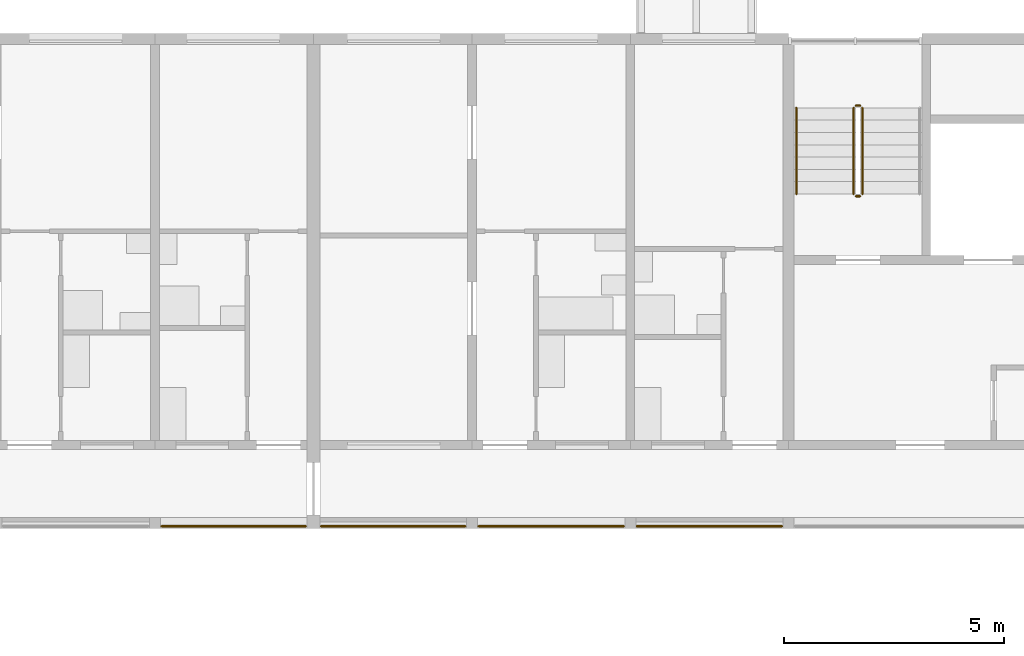
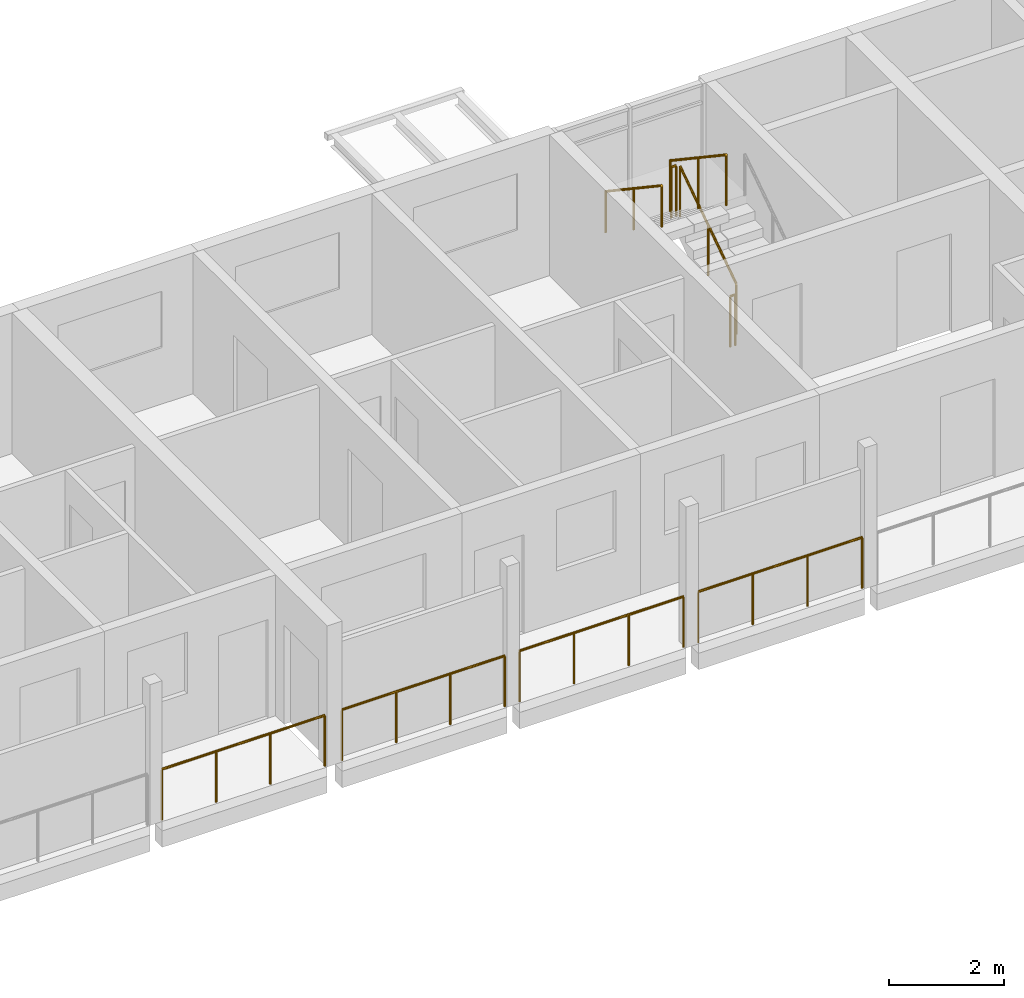
# One storey, part 82 of 99: 9 railings.
"""IFC4 building model written with IfcOpenShell, lengths in metres."""

from ifc_helpers import new_model, si_unit, direction, frame, origin, origin_2d, place, context, subcontext, project, spatial, circle, extrude, material, type_object, element, save


model = new_model("IFC4")

# Units and contexts
model_context = context("Model", 3, precision=1e-05, world=origin(), true_north=direction((0.0, 1.0)))
body_context = subcontext(model_context, "Body", "Model", "MODEL_VIEW")
ifc_project = project(units=[si_unit("LENGTHUNIT", "METRE"), si_unit("AREAUNIT", "SQUARE_METRE"), si_unit("VOLUMEUNIT", "CUBIC_METRE"), si_unit("PLANEANGLEUNIT", "RADIAN"), si_unit("MASSUNIT", "GRAM", prefix="KILO")], contexts=[model_context])

# Site, building, storey
site_placement = place(None, origin())
site = spatial("IfcSite", under=ifc_project, at=site_placement, CompositionType="ELEMENT")
building_placement = place(site_placement, origin())
building = spatial("IfcBuilding", under=site, at=building_placement, Name="Ridgestep Commons", CompositionType="ELEMENT")
storey_placement = place(building_placement, frame((0.0, 0.0, 15.0)))
storey = spatial("IfcBuildingStorey", under=building, at=storey_placement, Name="L05", CompositionType="ELEMENT", Elevation=15.0)

# Railings
ifc_material_1 = material(Name="Structural steel S355JR", Category="steel")
railing_type_1 = type_object("IfcRailingType", Name="Guard 1100", PredefinedType="GUARDRAIL", material=ifc_material_1)
for number, where, name in (
    (1, (58.946044921875, 66.050048828125, 0.0), "Gallery guard B 05.12"),
    (2, (62.571044921875, 66.050048828125, 0.0), "Gallery guard B 05.13"),
):
    element("IfcRailing", number, at=place(storey_placement, frame(where)), inside=storey, type_object=railing_type_1, Name=name, PredefinedType="GUARDRAIL", context=body_context, shape_type="SweptSolid", body=[
        extrude(circle(Radius=0.02392578125, at=origin_2d()), frame((0.0, 0.0, 1.076171875), z_axis=(1.0, 0.0, 0.0), x_axis=(0.0, 1.0, 0.0)), (0.0, 0.0, 1.0), 3.282958984375),
        extrude(circle(Radius=0.02099609375, at=origin_2d()), origin(), (0.0, 0.0, 1.0), 1.052001953125),
        extrude(circle(Radius=0.02099609375, at=origin_2d()), frame((1.09423828125, 0.0, 0.0)), (0.0, 0.0, 1.0), 1.052001953125),
        extrude(circle(Radius=0.02099609375, at=origin_2d()), frame((2.188720703125, 0.0, 0.0)), (0.0, 0.0, 1.0), 1.052001953125),
        extrude(circle(Radius=0.02099609375, at=origin_2d()), frame((3.282958984375, 0.0, 0.0)), (0.0, 0.0, 1.0), 1.052001953125),
    ])
railing_1_placement = place(storey_placement, frame((66.14599609375, 66.050048828125, 0.0)))
element("IfcRailing", 3, at=railing_1_placement, inside=storey, type_object=railing_type_1, Name="Gallery guard B 05.14", PredefinedType="GUARDRAIL", context=body_context, shape_type="SweptSolid", body=[
    extrude(circle(Radius=0.02392578125, at=origin_2d()), frame((0.0, 0.0, 1.076171875), z_axis=(1.0, 0.0, 0.0), x_axis=(0.0, 1.0, 0.0)), (0.0, 0.0, 1.0), 3.30810546875),
    extrude(circle(Radius=0.02099609375, at=origin_2d()), origin(), (0.0, 0.0, 1.0), 1.052001953125),
    extrude(circle(Radius=0.02099609375, at=origin_2d()), frame((1.102783203125, 0.0, 0.0)), (0.0, 0.0, 1.0), 1.052001953125),
    extrude(circle(Radius=0.02099609375, at=origin_2d()), frame((2.205322265625, 0.0, 0.0)), (0.0, 0.0, 1.0), 1.052001953125),
    extrude(circle(Radius=0.02099609375, at=origin_2d()), frame((3.30810546875, 0.0, 0.0)), (0.0, 0.0, 1.0), 1.052001953125),
])
railing_2_placement = place(storey_placement, frame((69.74609375, 66.050048828125, 0.0)))
element("IfcRailing", 4, at=railing_2_placement, inside=storey, type_object=railing_type_1, Name="Gallery guard B 05.15", PredefinedType="GUARDRAIL", context=body_context, shape_type="SweptSolid", body=[
    extrude(circle(Radius=0.02392578125, at=origin_2d()), frame((0.0, 0.0, 1.076171875), z_axis=(1.0, 0.0, 0.0), x_axis=(0.0, 1.0, 0.0)), (0.0, 0.0, 1.0), 3.307861328125),
    extrude(circle(Radius=0.02099609375, at=origin_2d()), origin(), (0.0, 0.0, 1.0), 1.052001953125),
    extrude(circle(Radius=0.02099609375, at=origin_2d()), frame((1.1025390625, 0.0, 0.0)), (0.0, 0.0, 1.0), 1.052001953125),
    extrude(circle(Radius=0.02099609375, at=origin_2d()), frame((2.205322265625, 0.0, 0.0)), (0.0, 0.0, 1.0), 1.052001953125),
    extrude(circle(Radius=0.02099609375, at=origin_2d()), frame((3.307861328125, 0.0, 0.0)), (0.0, 0.0, 1.0), 1.052001953125),
])
ifc_material_2 = material(Name="Structural steel S355JR", Category="steel")
railing_type_2 = type_object("IfcRailingType", Name="Stair guard 1100", PredefinedType="GUARDRAIL", material=ifc_material_2)
railing_3_placement = place(storey_placement, frame((74.875, 73.60009765625, 0.1875)))
element("IfcRailing", 5, at=railing_3_placement, inside=storey, type_object=railing_type_2, Name="L05 B4C stair guard 1", PredefinedType="GUARDRAIL", context=body_context, shape_type="SweptSolid", body=[
    extrude(circle(Radius=0.02392578125, at=origin_2d()), frame((0.0, 0.0, 1.076171875), z_axis=(0.0, 0.830902050051, 0.556418712142), x_axis=(-1.0, 0.0, 0.0)), (0.0, 0.0, 1.0), 2.35888671875),
    extrude(circle(Radius=0.02099609375, at=origin_2d()), origin(), (0.0, 0.0, 1.0), 1.052001953125),
    extrude(circle(Radius=0.02099609375, at=origin_2d()), frame((0.0, 0.97998046875, 0.65625)), (0.0, 0.0, 1.0), 1.052001953125),
    extrude(circle(Radius=0.02099609375, at=origin_2d()), frame((0.0, 1.9599609375, 1.3125)), (0.0, 0.0, 1.0), 1.052001953125),
])
railing_4_placement = place(storey_placement, frame((74.824951171875, 75.610107421875, 1.5)))
element("IfcRailing", 6, at=railing_4_placement, inside=storey, type_object=railing_type_2, Name="L05 B4C stair guard 2", PredefinedType="GUARDRAIL", context=body_context, shape_type="SweptSolid", body=[
    extrude(circle(Radius=0.02392578125, at=origin_2d()), frame((0.0, 0.0, 1.076171875), z_axis=(-1.0, 0.0, 0.0), x_axis=(0.0, -1.0, 0.0)), (0.0, 0.0, 1.0), 0.099853515625),
    extrude(circle(Radius=0.02099609375, at=origin_2d()), origin(), (0.0, 0.0, 1.0), 1.052001953125),
    extrude(circle(Radius=0.02099609375, at=origin_2d()), frame((-0.099853515625, 0.0, 0.0)), (0.0, 0.0, 1.0), 1.052001953125),
])
railing_5_placement = place(storey_placement, frame((74.675048828125, 75.56005859375, 1.6875)))
element("IfcRailing", 7, at=railing_5_placement, inside=storey, type_object=railing_type_2, Name="L05 B4C stair guard 3", PredefinedType="GUARDRAIL", context=body_context, shape_type="SweptSolid", body=[
    extrude(circle(Radius=0.02392578125, at=origin_2d()), frame((0.0, 0.0, 1.076171875), z_axis=(0.0, -0.830902050051, 0.556418712142), x_axis=(1.0, 0.0, 0.0)), (0.0, 0.0, 1.0), 2.35888671875),
    extrude(circle(Radius=0.02099609375, at=origin_2d()), origin(), (0.0, 0.0, 1.0), 1.052001953125),
    extrude(circle(Radius=0.02099609375, at=origin_2d()), frame((0.0, -0.97998046875, 0.65625)), (0.0, 0.0, 1.0), 1.052001953125),
    extrude(circle(Radius=0.02099609375, at=origin_2d()), frame((0.0, -1.9599609375, 1.3125)), (0.0, 0.0, 1.0), 1.052001953125),
])
railing_6_placement = place(storey_placement, frame((74.824951171875, 73.550048828125, 0.0)))
element("IfcRailing", 8, at=railing_6_placement, inside=storey, type_object=railing_type_2, Name="L05 B4C stair guard 4", PredefinedType="GUARDRAIL", context=body_context, shape_type="SweptSolid", body=[
    extrude(circle(Radius=0.02392578125, at=origin_2d()), frame((0.0, 0.0, 1.076171875), z_axis=(-1.0, 0.0, 0.0), x_axis=(0.0, -1.0, 0.0)), (0.0, 0.0, 1.0), 0.099853515625),
    extrude(circle(Radius=0.02099609375, at=origin_2d()), origin(), (0.0, 0.0, 1.0), 1.052001953125),
    extrude(circle(Radius=0.02099609375, at=origin_2d()), frame((-0.099853515625, 0.0, 0.0)), (0.0, 0.0, 1.0), 1.052001953125),
])
ifc_material_3 = material(Name="Structural steel S355JR", Category="steel")
railing_type_3 = type_object("IfcRailingType", Name="Stair handrail 900", PredefinedType="HANDRAIL", material=ifc_material_3)
railing_7_placement = place(storey_placement, frame((73.375, 75.56005859375, 1.6875)))
element("IfcRailing", 9, at=railing_7_placement, inside=storey, type_object=railing_type_3, Name="L05 B4C stair handrail 2", PredefinedType="HANDRAIL", context=body_context, shape_type="SweptSolid", body=[
    extrude(circle(Radius=0.02392578125, at=origin_2d()), frame((0.0, 0.0, 0.8759765625), z_axis=(0.0, -0.830902050051, 0.556418712142), x_axis=(1.0, 0.0, 0.0)), (0.0, 0.0, 1.0), 2.35888671875),
    extrude(circle(Radius=0.02099609375, at=origin_2d()), origin(), (0.0, 0.0, 1.0), 0.851806640625),
    extrude(circle(Radius=0.02099609375, at=origin_2d()), frame((0.0, -0.97998046875, 0.65625)), (0.0, 0.0, 1.0), 0.851806640625),
    extrude(circle(Radius=0.02099609375, at=origin_2d()), frame((0.0, -1.9599609375, 1.3125)), (0.0, 0.0, 1.0), 0.851806640625),
])

save(model, "model.ifc")
